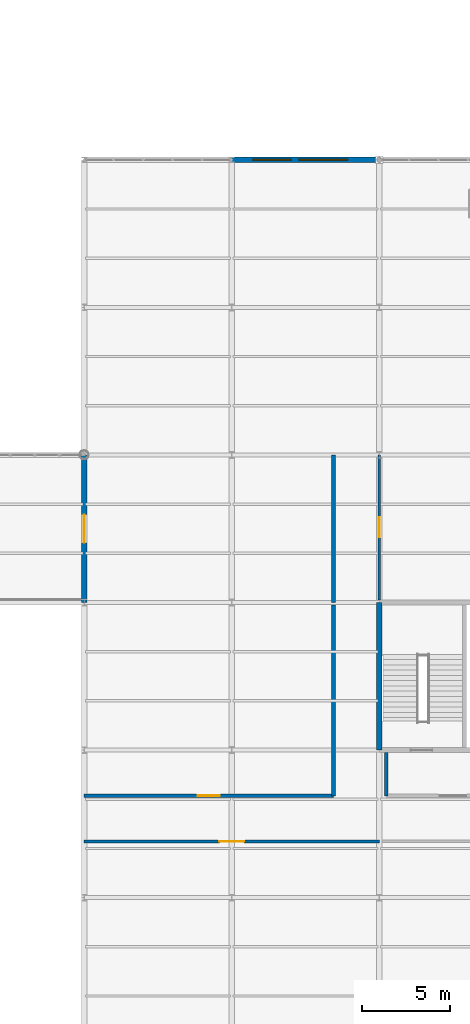
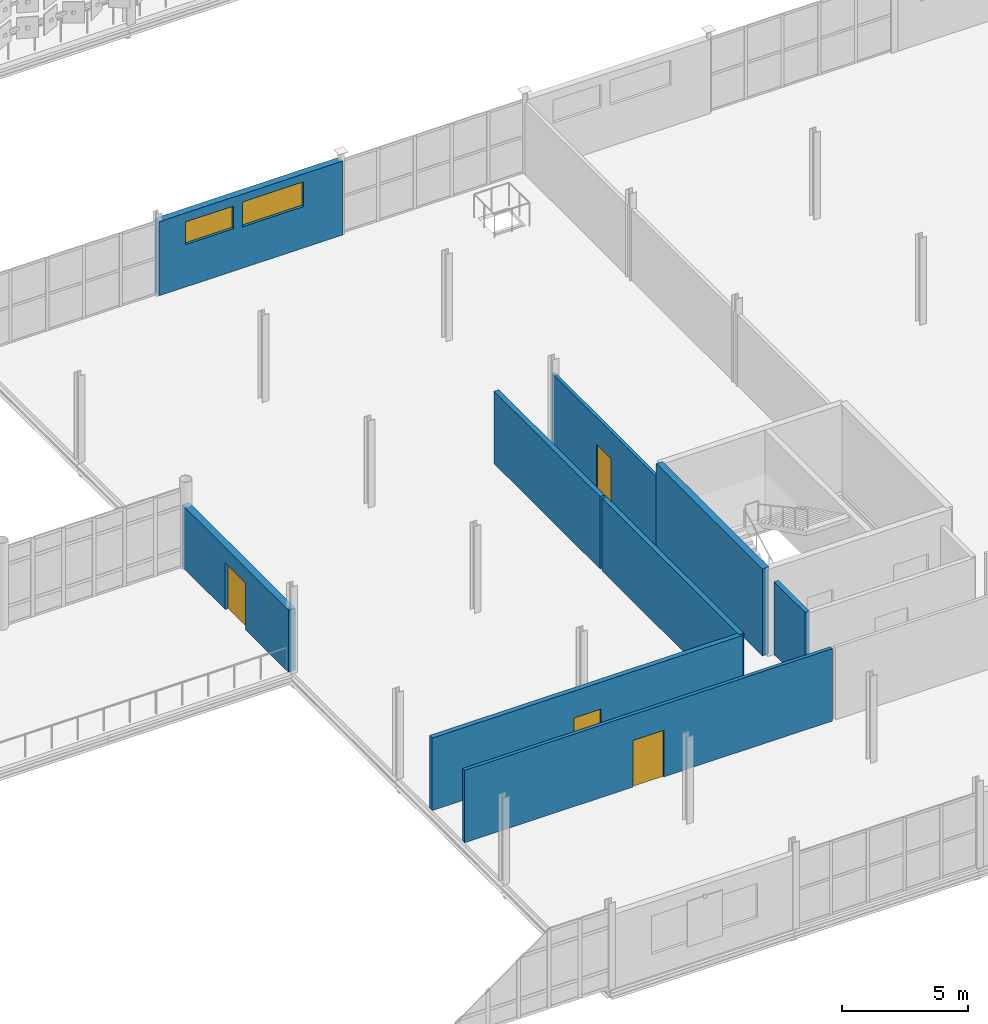
# One storey, part 134 of 163: 9 walls, 4 doors, 2 windows, 6 openings.
"""IFC4 building model written with IfcOpenShell, lengths in metres."""

import ifcopenshell
import ifcopenshell.guid

model = None  # the IFC model being written
_history = None  # IfcOwnerHistory: only IFC2X3 demands one
_inside = {}  # id of a spatial element -> (the spatial element, [elements in it])
_under = {}  # id of a project, library or spatial element -> (it, [spatial elements below it])
_declared = {}  # id of a project -> (the project, [libraries it declares])
_typed = {}  # id of a type object -> (the type object, [elements of that type])
_made_of = {}  # id of a material, layer set ... -> (it, [elements and type objects made of it])


def new_model(schema):
    """Start an empty IFC model of exactly this schema.

    Asked for "IFC4X3", IfcOpenShell would pick the latest addendum, in which some entities
    have other attributes; the version numbers below select the first issue.
    IFC2X3 requires an IfcOwnerHistory on every rooted entity: one is made here for all.
    """
    global model, _history
    if schema == "IFC4X3":
        model = ifcopenshell.file(schema_version=(4, 3, 0, 0))
    else:
        model = ifcopenshell.file(schema=schema)
    _inside.clear()
    _under.clear()
    _declared.clear()
    _typed.clear()
    _made_of.clear()
    _history = None
    if model.schema == "IFC2X3":
        org = make("IfcOrganization", Name="unknown")
        user = make(
            "IfcPersonAndOrganization",
            ThePerson=make("IfcPerson", FamilyName="unknown"),
            TheOrganization=org,
        )
        app = make(
            "IfcApplication",
            ApplicationDeveloper=org,
            Version="unknown",
            ApplicationFullName="unknown",
            ApplicationIdentifier="unknown",
        )
        _history = make(
            "IfcOwnerHistory",
            OwningUser=user,
            OwningApplication=app,
            ChangeAction="ADDED",
            CreationDate=0,
        )
    return model


def make(cls, **values):
    """One entity of the class cls with the attributes given. An attribute that is None is left unset."""
    return model.create_entity(
        cls, **{name: value for name, value in values.items() if value is not None}
    )


def rooted(cls, **values):
    """An entity with a GlobalId (a new one), such as an element, a storey or a relation."""
    return make(cls, GlobalId=ifcopenshell.guid.new(), OwnerHistory=_history, **values)


def si_unit(unit_type, name, prefix=None):
    """IfcSIUnit, for example si_unit("LENGTHUNIT", "METRE", prefix="MILLI")."""
    return make("IfcSIUnit", UnitType=unit_type, Prefix=prefix, Name=name)


def assignment(units):
    """IfcUnitAssignment: the units of a project."""
    return None if units is None else make("IfcUnitAssignment", Units=units)


def point(xyz):
    """IfcCartesianPoint."""
    return None if xyz is None else make("IfcCartesianPoint", Coordinates=xyz)


def direction(xyz):
    """IfcDirection."""
    return None if xyz is None else make("IfcDirection", DirectionRatios=xyz)


def frame(location, z_axis=None, x_axis=None):
    """IfcAxis2Placement3D, a coordinate frame: its origin and axes. An axis left out is left unset."""
    return make(
        "IfcAxis2Placement3D",
        Location=point(location),
        Axis=direction(z_axis),
        RefDirection=direction(x_axis),
    )


def frame_2d(location, x_axis=None):
    """IfcAxis2Placement2D, a coordinate frame in the plane: its origin and x axis."""
    return make(
        "IfcAxis2Placement2D", Location=point(location), RefDirection=direction(x_axis)
    )


def origin():
    """The frame at (0, 0, 0) with its axes left unset."""
    return frame((0.0, 0.0, 0.0))


def place(relative_to, where):
    """IfcLocalPlacement: puts the frame where relative to a parent placement (None: the world)."""
    return make(
        "IfcLocalPlacement", PlacementRelTo=relative_to, RelativePlacement=where
    )


def context(
    kind, dimensions, precision=None, world=None, true_north=None, identifier=None
):
    """IfcGeometricRepresentationContext, for example the 3D "Model" context."""
    return make(
        "IfcGeometricRepresentationContext",
        ContextIdentifier=identifier,
        ContextType=kind,
        CoordinateSpaceDimension=dimensions,
        Precision=precision,
        WorldCoordinateSystem=world,
        TrueNorth=true_north,
    )


def subcontext(parent, identifier, kind, view, scale=None):
    """IfcGeometricRepresentationSubContext, for example "Body" below "Model"."""
    return make(
        "IfcGeometricRepresentationSubContext",
        ContextIdentifier=identifier,
        ContextType=kind,
        ParentContext=parent,
        TargetScale=scale,
        TargetView=view,
    )


def project(units=None, contexts=None):
    """IfcProject with its units and contexts."""
    return rooted(
        "IfcProject",
        Name="project",
        RepresentationContexts=contexts,
        UnitsInContext=assignment(units),
    )


def spatial(cls, under=None, at=None, **own):
    """A site, building, storey or space (cls), placed at a placement, below another one or the project."""
    s = rooted(cls, ObjectPlacement=at, **own)
    if under is not None:
        _under.setdefault(under.id(), (under, []))[1].append(s)
    return s


def profile(cls, at=None, kind="AREA", **sizes):
    """A parametric profile (cls). Its sizes go by their IFC names, for example OverallWidth=200.0."""
    return make(cls, ProfileType=kind, Position=at, **sizes)


def rectangle(**sizes):
    """IfcRectangleProfileDef."""
    return profile("IfcRectangleProfileDef", **sizes)


def extrude(swept, where, along, depth):
    """IfcExtrudedAreaSolid: the profile swept, set in the frame where, extruded along a direction by depth."""
    return make(
        "IfcExtrudedAreaSolid",
        SweptArea=swept,
        Position=where,
        ExtrudedDirection=direction(along),
        Depth=depth,
    )


def shape(context_of_items, identifier, shape_type, items):
    """IfcShapeRepresentation: the items that make up one representation, for example the "Body"."""
    return make(
        "IfcShapeRepresentation",
        ContextOfItems=context_of_items,
        RepresentationIdentifier=identifier,
        RepresentationType=shape_type,
        Items=items,
    )


def material(Name=None, Category=None):
    """IfcMaterial."""
    return make("IfcMaterial", Name=Name, Category=Category)


def layer(
    of_material, thickness, ventilated=None, Name=None, Category=None, Priority=None
):
    """IfcMaterialLayer: one layer of a wall or slab, of a material (None: an air gap)."""
    return make(
        "IfcMaterialLayer",
        Material=of_material,
        LayerThickness=thickness,
        IsVentilated=ventilated,
        Name=Name,
        Category=Category,
        Priority=Priority,
    )


def layer_set(layers, Name=None):
    """IfcMaterialLayerSet."""
    return make("IfcMaterialLayerSet", MaterialLayers=layers, LayerSetName=Name)


def made_of(thing, what):
    """Note that an element or type object is made of a material, layer set ...; save() writes the relation."""
    if what is not None:
        _made_of.setdefault(what.id(), (what, []))[1].append(thing)
    return thing


def type_object(cls, material=None, **own):
    """A type object (cls), such as IfcWallType, which elements share."""
    return made_of(rooted(cls, **own), material)


def element(
    cls,
    number,
    at=None,
    inside=None,
    cuts=None,
    type_object=None,
    material=None,
    context=None,
    identifier="Body",
    shape_type=None,
    held_by="IfcProductDefinitionShape",
    body=None,
    shapes=None,
    **own,
):
    """One element of the class cls, such as IfcWall. Its Tag is "e" and its number.

    at: its placement. inside: the storey or other place that contains it. cuts: it is an
    opening in that element (IfcRelVoidsElement). A single representation is given by context,
    identifier, shape_type and body (its items); several are given by shapes. held_by: the class
    of the entity that holds the representations. save() writes the other relations.
    """
    e = rooted(cls, Tag="e%d" % number, ObjectPlacement=at, **own)
    if body is not None:
        shapes = [shape(context, identifier, shape_type, body)]
    if shapes is not None:
        e.Representation = make(held_by, Representations=shapes)
    if inside is not None:
        _inside.setdefault(inside.id(), (inside, []))[1].append(e)
    if cuts is not None:
        rooted(
            "IfcRelVoidsElement", RelatingBuildingElement=cuts, RelatedOpeningElement=e
        )
    if type_object is not None:
        _typed.setdefault(type_object.id(), (type_object, []))[1].append(e)
    return made_of(e, material)


def fill(opening, filler):
    """IfcRelFillsElement: the door or window that sits in an opening."""
    return rooted(
        "IfcRelFillsElement",
        RelatingOpeningElement=opening,
        RelatedBuildingElement=filler,
    )


def aggregate(whole, parts):
    """IfcRelAggregates: a whole, such as a stair, and the parts it consists of."""
    return rooted("IfcRelAggregates", RelatingObject=whole, RelatedObjects=parts)


def save(model, path):
    """Write the relations noted so far, then the file.

    IfcRelAggregates (storeys below a building ...), IfcRelContainedInSpatialStructure (elements
    in a storey), IfcRelDefinesByType, IfcRelAssociatesMaterial and IfcRelDeclares: one each for
    every whole, place, type object, material and project.
    """
    for whole, parts in _under.values():
        aggregate(whole, parts)
    for where, things in _inside.values():
        rooted(
            "IfcRelContainedInSpatialStructure",
            RelatedElements=things,
            RelatingStructure=where,
        )
    for kind, things in _typed.values():
        rooted("IfcRelDefinesByType", RelatedObjects=things, RelatingType=kind)
    for what, things in _made_of.values():
        rooted("IfcRelAssociatesMaterial", RelatedObjects=things, RelatingMaterial=what)
    for by, libraries in _declared.values():
        rooted("IfcRelDeclares", RelatingContext=by, RelatedDefinitions=libraries)
    model.write(path)


model = new_model("IFC4")

# Units and contexts
model_context = context("Model", 3, precision=1e-05, world=origin(), true_north=direction((0.0, 1.0)))
body_context = subcontext(model_context, "Body", "Model", "MODEL_VIEW")
ifc_project = project(units=[si_unit("LENGTHUNIT", "METRE"), si_unit("AREAUNIT", "SQUARE_METRE"), si_unit("VOLUMEUNIT", "CUBIC_METRE"), si_unit("PLANEANGLEUNIT", "RADIAN"), si_unit("MASSUNIT", "GRAM", prefix="KILO")], contexts=[model_context])

# Site, building, storey
site_placement = place(None, origin())
site = spatial("IfcSite", under=ifc_project, at=site_placement, CompositionType="ELEMENT")
building_placement = place(site_placement, origin())
building = spatial("IfcBuilding", under=site, at=building_placement, Name="Qalvenar Corner Mobility Hub", CompositionType="ELEMENT")
storey_placement = place(building_placement, frame((0.0, 0.0, 4.800048828125)))
storey = spatial("IfcBuildingStorey", under=building, at=storey_placement, Name="L01", CompositionType="ELEMENT", Elevation=4.800048828125)

# Wall
ifc_material_1 = material(Name="Concrete C40/50", Category="concrete")
ifc_layer_1 = layer(ifc_material_1, 0.300048828125)
ifc_layer_set_1 = layer_set([ifc_layer_1], Name="Concrete C40/50")
wall_type_1 = type_object("IfcWallType", Name="WL-CORE300", PredefinedType="SHEAR", material=ifc_layer_set_1)
wall_1_placement = place(storey_placement, frame((126.0, 25.199951171875, 0.0), z_axis=(0.0, 0.0, 1.0), x_axis=(0.0, -1.0, 0.0)))
element("IfcWall", 1, at=wall_1_placement, inside=storey, type_object=wall_type_1, Name="Core Shear Wall C6-L01-W", PredefinedType="SHEAR", context=body_context, shape_type="SweptSolid", body=[
    extrude(rectangle(XDim=8.39990234375, YDim=0.300048828125, at=frame_2d((4.199951171875, 0.0))), origin(), (0.0, 0.0, 1.0), 4.199951171875),
])

# Wall, openings, windows
ifc_material_2 = material(Name="Lahori Fired Clay Brick Masonry", Category="masonry")
ifc_layer_2 = layer(ifc_material_2, 0.300048828125)
ifc_layer_set_2 = layer_set([ifc_layer_2], Name="Lahori Fired Clay Brick Masonry")
wall_type_2 = type_object("IfcWallType", Name="WL-EXT-BRK300", PredefinedType="STANDARD", material=ifc_layer_set_2)
wall_2_placement = place(storey_placement, frame((126.0, 50.39990234375, 0.0), z_axis=(0.0, 0.0, 1.0), x_axis=(-1.0, 0.0, 0.0)))
wall_2 = element("IfcWall", 2, at=wall_2_placement, inside=storey, type_object=wall_type_2, Name="Exterior Facade Wall EW-V6-L01-N1", PredefinedType="STANDARD", context=body_context, shape_type="SweptSolid", body=[
    extrude(rectangle(XDim=8.39990234375, YDim=0.300048828125, at=frame_2d((4.199951171875, 0.0))), origin(), (0.0, 0.0, 1.0), 3.579833984375),
])
opening_1_placement = place(wall_2_placement, frame((1.800048828125, 0.0, 2.0)))
opening_1 = element("IfcOpeningElement", 3, at=opening_1_placement, cuts=wall_2, Name="Opening W-20", PredefinedType="OPENING", context=body_context, shape_type="SweptSolid", body=[
    extrude(rectangle(XDim=2.800048828125, YDim=1.199951171875, at=frame_2d((1.39990234375, 0.60009765625))), frame((0.0, 0.16015625, 0.0), z_axis=(0.0, -1.0, 0.0), x_axis=(1.0, 0.0, 0.0)), (0.0, 0.0, 1.0), 0.320068359375),
])
opening_2_placement = place(wall_2_placement, frame((5.0, 0.0, 2.050048828125)))
opening_2 = element("IfcOpeningElement", 4, at=opening_2_placement, cuts=wall_2, Name="Opening W-21", PredefinedType="OPENING", context=body_context, shape_type="SweptSolid", body=[
    extrude(rectangle(XDim=2.199951171875, YDim=1.10009765625, at=frame_2d((1.10009765625, 0.550048828125))), frame((0.0, 0.16015625, 0.0), z_axis=(0.0, -1.0, 0.0), x_axis=(1.0, 0.0, 0.0)), (0.0, 0.0, 1.0), 0.320068359375),
])
ifc_material_3 = material(Name="Solar-Control Double-Glazed Bronze Window", Category="glass")
window_type_1 = type_object("IfcWindowType", Name="WN-CLR-220X110", PartitioningType="DOUBLE_PANEL_HORIZONTAL", PredefinedType="WINDOW", material=ifc_material_3)
window_1_placement = place(opening_2_placement, origin())
window_1 = element("IfcWindow", 5, at=window_1_placement, inside=storey, type_object=window_type_1, Name="Facade Window EW-V6-L01-N1-W2", OverallHeight=1.10009765625, OverallWidth=2.199951171875, PartitioningType="SINGLE_PANEL", PredefinedType="WINDOW", context=body_context, shape_type="SweptSolid", body=[
    extrude(rectangle(XDim=2.199951171875, YDim=1.10009765625, at=frame_2d((1.10009765625, 0.550048828125))), frame((0.0, 0.030029296875, 0.0), z_axis=(0.0, -1.0, 0.0), x_axis=(1.0, 0.0, 0.0)), (0.0, 0.0, 1.0), 0.06005859375),
])
fill(opening_2, window_1)
window_type_2 = type_object("IfcWindowType", Name="WN-CLR-280X120", PartitioningType="TRIPLE_PANEL_VERTICAL", PredefinedType="WINDOW", material=ifc_material_3)
window_2_placement = place(opening_1_placement, origin())
window_2 = element("IfcWindow", 6, at=window_2_placement, inside=storey, type_object=window_type_2, Name="Facade Window EW-V6-L01-N1-W1", OverallHeight=1.199951171875, OverallWidth=2.800048828125, PartitioningType="SINGLE_PANEL", PredefinedType="WINDOW", context=body_context, shape_type="SweptSolid", body=[
    extrude(rectangle(XDim=2.800048828125, YDim=1.199951171875, at=frame_2d((1.39990234375, 0.60009765625))), frame((0.0, 0.030029296875, 0.0), z_axis=(0.0, -1.0, 0.0), x_axis=(1.0, 0.0, 0.0)), (0.0, 0.0, 1.0), 0.06005859375),
])
fill(opening_1, window_2)

# Wall, opening, door
ifc_material_4 = material(Name="Red Sandstone Ashlar Masonry", Category="masonry")
ifc_layer_3 = layer(ifc_material_4, 0.320068359375)
ifc_layer_set_3 = layer_set([ifc_layer_3], Name="Red Sandstone Ashlar Masonry")
wall_type_3 = type_object("IfcWallType", Name="WL-EXT-SAND320", PredefinedType="STANDARD", material=ifc_layer_set_3)
wall_3_placement = place(storey_placement, frame((109.199951171875, 25.199951171875, 0.0), z_axis=(0.0, 0.0, 1.0), x_axis=(0.0, 1.0, 0.0)))
wall_3 = element("IfcWall", 7, at=wall_3_placement, inside=storey, type_object=wall_type_3, Name="Exterior Facade Wall EW-MEZZ-L01-E", PredefinedType="STANDARD", context=body_context, shape_type="SweptSolid", body=[
    extrude(rectangle(XDim=8.400146484375, YDim=0.320068359375, at=frame_2d((4.2001953125, 0.0))), origin(), (0.0, 0.0, 1.0), 3.0),
])
opening_3_placement = place(wall_3_placement, frame((3.39990234375, 0.0, 0.0)))
opening_3 = element("IfcOpeningElement", 8, at=opening_3_placement, cuts=wall_3, Name="Opening DR-115", PredefinedType="OPENING", context=body_context, shape_type="SweptSolid", body=[
    extrude(rectangle(XDim=1.60009765625, YDim=2.25, at=frame_2d((0.800048828125, 1.125))), frame((0.0, 0.169921875, 0.0), z_axis=(0.0, -1.0, 0.0), x_axis=(1.0, 0.0, 0.0)), (0.0, 0.0, 1.0), 0.340087890625),
])
ifc_material_5 = material(Name="Compartment Fire Door FD90", Category="steel")
door_type_1 = type_object("IfcDoorType", Name="DR-COMP-160", OperationType="DOUBLE_DOOR_SINGLE_SWING", PredefinedType="DOOR", material=ifc_material_5)
door_1_placement = place(opening_3_placement, origin())
door_1 = element("IfcDoor", 9, at=door_1_placement, inside=storey, type_object=door_type_1, Name="DR-115 Boarding Gallery East Workshop Door L01", OperationType="DOUBLE_DOOR_SINGLE_SWING", OverallHeight=2.25, OverallWidth=1.60009765625, PredefinedType="DOOR", context=body_context, shape_type="SweptSolid", body=[
    extrude(rectangle(XDim=1.60009765625, YDim=2.25, at=frame_2d((0.800048828125, 1.125))), frame((0.0, 0.02490234375, 0.0), z_axis=(0.0, -1.0, 0.0), x_axis=(1.0, 0.0, 0.0)), (0.0, 0.0, 1.0), 0.050048828125),
])
fill(opening_3, door_1)

ifc_material_6 = material(Name="Concrete Blockwork Masonry", Category="masonry")
ifc_layer_4 = layer(ifc_material_6, 0.219970703125)
ifc_layer_set_4 = layer_set([ifc_layer_4], Name="Concrete Blockwork Masonry")
wall_type_4 = type_object("IfcWallType", Name="WL-FIRE220", PredefinedType="PARTITIONING", material=ifc_layer_set_4)
wall_4_placement = place(storey_placement, frame((109.199951171875, 14.199951171875, 0.0), z_axis=(0.0, 0.0, 1.0), x_axis=(1.0, 0.0, 0.0)))
wall_4 = element("IfcWall", 10, at=wall_4_placement, inside=storey, type_object=wall_type_4, Name="Interior Partition PRT-L01-013", PredefinedType="PARTITIONING", context=body_context, shape_type="SweptSolid", body=[
    extrude(rectangle(XDim=14.199951171875, YDim=0.219970703125, at=frame_2d((7.10009765625, 0.0))), origin(), (0.0, 0.0, 1.0), 3.5),
])
opening_4_placement = place(wall_4_placement, frame((6.47509765625, 0.0, 0.0)))
opening_4 = element("IfcOpeningElement", 11, at=opening_4_placement, cuts=wall_4, Name="Opening DR-144", PredefinedType="OPENING", context=body_context, shape_type="SweptSolid", body=[
    extrude(rectangle(XDim=1.25, YDim=2.199951171875, at=frame_2d((0.625, 1.10009765625))), frame((0.0, 0.1201171875, 0.0), z_axis=(0.0, -1.0, 0.0), x_axis=(1.0, 0.0, 0.0)), (0.0, 0.0, 1.0), 0.239990234375),
])
ifc_material_7 = material(Name="Acoustic Steel Plant Room Door FD60", Category="steel")
door_type_2 = type_object("IfcDoorType", Name="DR-INT-PLT125", OperationType="NOTDEFINED", PredefinedType="DOOR", material=ifc_material_7)
door_2_placement = place(opening_4_placement, origin())
door_2 = element("IfcDoor", 12, at=door_2_placement, inside=storey, type_object=door_type_2, Name="DR-144 EV Battery Diagnostics and Electronics W Door", OperationType="SINGLE_SWING_RIGHT", OverallHeight=2.199951171875, OverallWidth=1.25, PredefinedType="DOOR", context=body_context, shape_type="SweptSolid", body=[
    extrude(rectangle(XDim=1.25, YDim=2.199951171875, at=frame_2d((0.625, 1.10009765625))), frame((0.0, 0.02490234375, 0.0), z_axis=(0.0, -1.0, 0.0), x_axis=(1.0, 0.0, 0.0)), (0.0, 0.0, 1.0), 0.050048828125),
])
fill(opening_4, door_2)

# Walls
wall_5_placement = place(storey_placement, frame((123.39990234375, 14.199951171875, 0.0), z_axis=(0.0, 0.0, 1.0), x_axis=(0.0, 1.0, 0.0)))
element("IfcWall", 13, at=wall_5_placement, inside=storey, type_object=wall_type_4, Name="Interior Partition PRT-L01-043", PredefinedType="PARTITIONING", context=body_context, shape_type="SweptSolid", body=[
    extrude(rectangle(XDim=10.85009765625, YDim=0.219970703125, at=frame_2d((5.425048828125, 0.0))), origin(), (0.0, 0.0, 1.0), 3.5),
])
wall_6_placement = place(storey_placement, frame((123.39990234375, 25.199951171875, 0.0), z_axis=(0.0, 0.0, 1.0), x_axis=(0.0, 1.0, 0.0)))
element("IfcWall", 14, at=wall_6_placement, inside=storey, type_object=wall_type_4, Name="Interior Partition PRT-L01-044", PredefinedType="PARTITIONING", context=body_context, shape_type="SweptSolid", body=[
    extrude(rectangle(XDim=8.400146484375, YDim=0.219970703125, at=frame_2d((4.2001953125, 0.0))), origin(), (0.0, 0.0, 1.0), 3.5),
])

# Wall, opening, door
ifc_material_8 = material(Name="Acoustic Gypsum Stud Partition", Category="masonry")
ifc_layer_5 = layer(ifc_material_8, 0.139892578125)
ifc_layer_set_5 = layer_set([ifc_layer_5], Name="Acoustic Gypsum Stud Partition")
wall_type_5 = type_object("IfcWallType", Name="WL-INT140", PredefinedType="PARTITIONING", material=ifc_layer_set_5)
wall_7_placement = place(storey_placement, frame((126.0, 25.35498046875, 0.0), z_axis=(0.0, 0.0, 1.0), x_axis=(0.0, 1.0, 0.0)))
wall_7 = element("IfcWall", 15, at=wall_7_placement, inside=storey, type_object=wall_type_5, Name="Interior Partition PRT-L01-045", PredefinedType="PARTITIONING", context=body_context, shape_type="SweptSolid", body=[
    extrude(rectangle(XDim=8.2451171875, YDim=0.139892578125, at=frame_2d((4.12255859375, 0.0))), origin(), (0.0, 0.0, 1.0), 3.449951171875),
])
opening_5_placement = place(wall_7_placement, frame((3.548095703125, 0.0, 0.0)))
opening_5 = element("IfcOpeningElement", 16, at=opening_5_placement, cuts=wall_7, Name="Opening DR-155", PredefinedType="OPENING", context=body_context, shape_type="SweptSolid", body=[
    extrude(rectangle(XDim=1.14990234375, YDim=2.14990234375, at=frame_2d((0.574951171875, 1.074951171875))), frame((0.0, 0.080078125, 0.0), z_axis=(0.0, -1.0, 0.0), x_axis=(1.0, 0.0, 0.0)), (0.0, 0.0, 1.0), 0.159912109375),
])
ifc_material_9 = material(Name="Steel Parts Store Door FD60", Category="steel")
door_type_3 = type_object("IfcDoorType", Name="DR-INT-STR115", OperationType="NOTDEFINED", PredefinedType="DOOR", material=ifc_material_9)
door_3_placement = place(opening_5_placement, origin())
door_3 = element("IfcDoor", 17, at=door_3_placement, inside=storey, type_object=door_type_3, Name="DR-155 Electrical Components Store L01 Door", OperationType="SINGLE_SWING_LEFT", OverallHeight=2.14990234375, OverallWidth=1.14990234375, PredefinedType="DOOR", context=body_context, shape_type="SweptSolid", body=[
    extrude(rectangle(XDim=1.14990234375, YDim=2.14990234375, at=frame_2d((0.574951171875, 1.074951171875))), frame((0.0, 0.02490234375, 0.0), z_axis=(0.0, -1.0, 0.0), x_axis=(1.0, 0.0, 0.0)), (0.0, 0.0, 1.0), 0.050048828125),
])
fill(opening_5, door_3)

ifc_material_10 = material(Name="Plastered Clay Brick Partition", Category="masonry")
ifc_layer_6 = layer(ifc_material_10, 0.159912109375)
ifc_layer_set_6 = layer_set([ifc_layer_6], Name="Plastered Clay Brick Partition")
wall_type_6 = type_object("IfcWallType", Name="WL-INT160", PredefinedType="PARTITIONING", material=ifc_layer_set_6)
wall_8_placement = place(storey_placement, frame((109.199951171875, 11.60009765625, 0.0), z_axis=(0.0, 0.0, 1.0), x_axis=(1.0, 0.0, 0.0)))
wall_8 = element("IfcWall", 18, at=wall_8_placement, inside=storey, type_object=wall_type_6, Name="Interior Partition PRT-L01-009", PredefinedType="PARTITIONING", context=body_context, shape_type="SweptSolid", body=[
    extrude(rectangle(XDim=16.800048828125, YDim=0.159912109375, at=frame_2d((8.39990234375, 0.0))), origin(), (0.0, 0.0, 1.0), 3.5),
])
opening_6_placement = place(wall_8_placement, frame((7.699951171875, 0.0, 0.0)))
opening_6 = element("IfcOpeningElement", 19, at=opening_6_placement, cuts=wall_8, Name="Opening DR-142", PredefinedType="OPENING", context=body_context, shape_type="SweptSolid", body=[
    extrude(rectangle(XDim=1.39990234375, YDim=2.25, at=frame_2d((0.699951171875, 1.125))), frame((0.0, 0.08984375, 0.0), z_axis=(0.0, -1.0, 0.0), x_axis=(1.0, 0.0, 0.0)), (0.0, 0.0, 1.0), 0.179931640625),
])
ifc_material_11 = material(Name="Hardwood Teak Acoustic Double Door", Category="wood")
door_type_4 = type_object("IfcDoorType", Name="DR-INT-PUB140", OperationType="DOUBLE_DOOR_SINGLE_SWING", PredefinedType="DOOR", material=ifc_material_11)
door_4_placement = place(opening_6_placement, origin())
door_4 = element("IfcDoor", 20, at=door_4_placement, inside=storey, type_object=door_type_4, Name="DR-142 Charger Calibration Test Room Door", OperationType="DOUBLE_DOOR_SINGLE_SWING", OverallHeight=2.25, OverallWidth=1.39990234375, PredefinedType="DOOR", context=body_context, shape_type="SweptSolid", body=[
    extrude(rectangle(XDim=1.39990234375, YDim=2.25, at=frame_2d((0.699951171875, 1.125))), frame((0.0, 0.02490234375, 0.0), z_axis=(0.0, -1.0, 0.0), x_axis=(1.0, 0.0, 0.0)), (0.0, 0.0, 1.0), 0.050048828125),
])
fill(opening_6, door_4)

# Wall
ifc_material_12 = material(Name="Concrete Blockwork Masonry", Category="masonry")
ifc_layer_7 = layer(ifc_material_12, 0.199951171875)
ifc_layer_set_7 = layer_set([ifc_layer_7], Name="Concrete Blockwork Masonry")
wall_type_7 = type_object("IfcWallType", Name="WL-LOBBY200", PredefinedType="PARTITIONING", material=ifc_layer_set_7)
wall_9_placement = place(storey_placement, frame((126.39990234375, 14.199951171875, 0.0), z_axis=(0.0, 0.0, 1.0), x_axis=(0.0, 1.0, 0.0)))
element("IfcWall", 21, at=wall_9_placement, inside=storey, type_object=wall_type_7, Name="Interior Partition WL-LOB-C6-L01-W", PredefinedType="PARTITIONING", context=body_context, shape_type="SweptSolid", body=[
    extrude(rectangle(XDim=2.449951171875, YDim=0.199951171875, at=frame_2d((1.22509765625, 0.0))), origin(), (0.0, 0.0, 1.0), 3.52001953125),
])

save(model, "model.ifc")
